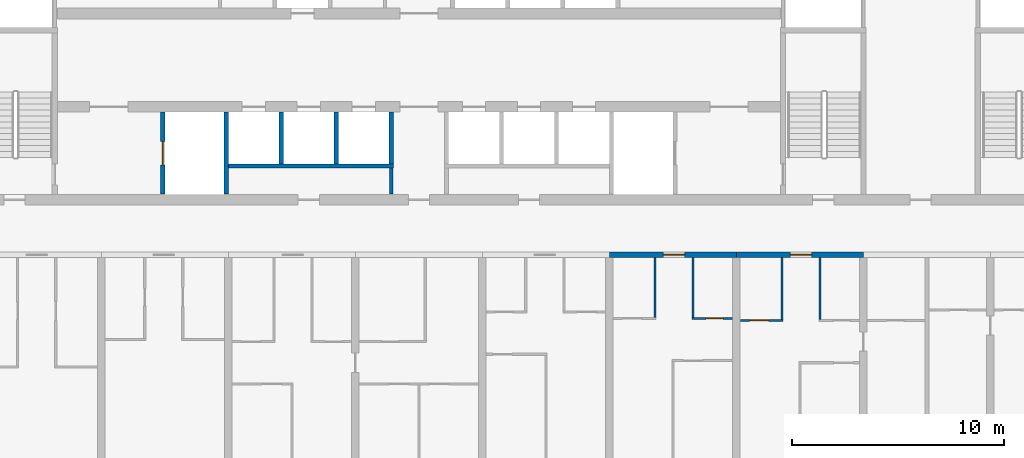
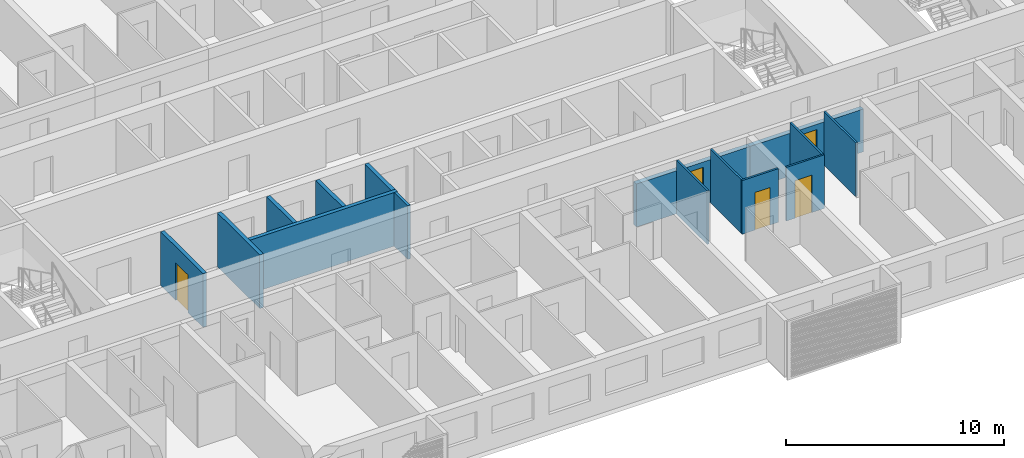
# One storey, part 6 of 24: 15 walls, 5 doors, 5 openings.
"""IFC4 building model written with IfcOpenShell, lengths in metres."""

from ifc_helpers import new_model, si_unit, direction, frame, frame_2d, origin, place, context, subcontext, project, spatial, rectangle, extrude, material, layer, layer_set, type_object, element, fill, save


model = new_model("IFC4")

# Units and contexts
model_context = context("Model", 3, precision=1e-05, world=origin(), true_north=direction((0.0, 1.0)))
body_context = subcontext(model_context, "Body", "Model", "MODEL_VIEW")
ifc_project = project(units=[si_unit("LENGTHUNIT", "METRE"), si_unit("AREAUNIT", "SQUARE_METRE"), si_unit("VOLUMEUNIT", "CUBIC_METRE"), si_unit("PLANEANGLEUNIT", "RADIAN"), si_unit("MASSUNIT", "GRAM", prefix="KILO")], contexts=[model_context])

# Site, building, storey
site_placement = place(None, origin())
site = spatial("IfcSite", under=ifc_project, at=site_placement, CompositionType="ELEMENT")
building_placement = place(site_placement, origin())
building = spatial("IfcBuilding", under=site, at=building_placement, Name="Poui Terraces", CompositionType="ELEMENT")
storey_placement = place(building_placement, frame((0.0, 0.0, 102.60009765625)))
storey = spatial("IfcBuildingStorey", under=building, at=storey_placement, Name="L28", CompositionType="ELEMENT", Elevation=102.60009765625)

# Wall
ifc_material_1 = material(Name="Fire-rated plasterboard wall")
ifc_layer_1 = layer(ifc_material_1, 0.14990234375)
ifc_layer_set_1 = layer_set([ifc_layer_1], Name="Fire-rated plasterboard wall")
wall_type_1 = type_object("IfcWallType", Name="CORRIDOR WALL 150", PredefinedType="PARTITIONING", material=ifc_layer_set_1)
wall_1_placement = place(storey_placement, frame((49.699951171875, 14.860107421875, 0.0), z_axis=(0.0, 0.0, 1.0), x_axis=(0.0, 1.0, 0.0)))
element("IfcWall", 1, at=wall_1_placement, inside=storey, type_object=wall_type_1, Name="CORRIDOR WALL 150", PredefinedType="PARTITIONING", context=body_context, shape_type="SweptSolid", body=[
    extrude(rectangle(XDim=1.239990234375, YDim=0.14990234375, at=frame_2d((0.6201171875, 0.0))), origin(), (0.0, 0.0, 1.0), 3.0),
])

# Wall, opening, door
ifc_material_2 = material(Name="Concrete 65 MPa", Category="concrete")
ifc_layer_2 = layer(ifc_material_2, 0.25)
ifc_layer_set_2 = layer_set([ifc_layer_2], Name="Concrete 65 MPa")
wall_type_2 = type_object("IfcWallType", Name="CORRIDOR WALL 250 65MPa", PredefinedType="SHEAR", material=ifc_layer_set_2)
wall_2_placement = place(storey_placement, frame((60.0, 12.0, 0.0), z_axis=(0.0, 0.0, 1.0), x_axis=(1.0, 0.0, 0.0)))
wall_2 = element("IfcWall", 2, at=wall_2_placement, inside=storey, type_object=wall_type_2, Name="CORRIDOR WALL LINE B BAY 10", PredefinedType="SHEAR", context=body_context, shape_type="SweptSolid", body=[
    extrude(rectangle(XDim=6.0, YDim=0.25, at=frame_2d((3.0, 0.0))), origin(), (0.0, 0.0, 1.0), 2.39990234375),
])
opening_1_placement = place(wall_2_placement, frame((2.550048828125, 0.0, 0.0)))
opening_1 = element("IfcOpeningElement", 3, at=opening_1_placement, cuts=wall_2, Name="Opening FD30S", PredefinedType="OPENING", context=body_context, shape_type="SweptSolid", body=[
    extrude(rectangle(XDim=1.0, YDim=2.10009765625, at=frame_2d((0.5, 1.050048828125))), frame((0.0, 0.135009765625, 0.0), z_axis=(0.0, -1.0, 0.0), x_axis=(1.0, 0.0, 0.0)), (0.0, 0.0, 1.0), 0.27001953125),
])
ifc_material_3 = material(Name="Steel fire door", Category="steel")
door_type_1 = type_object("IfcDoorType", Name="FLAT ENTRANCE DOOR 1000 X 2100", OperationType="NOTDEFINED", PredefinedType="DOOR", material=ifc_material_3)
door_1_placement = place(opening_1_placement, frame((1.0, 0.0, 0.0), z_axis=(0.0, 0.0, 1.0), x_axis=(-1.0, 0.0, 0.0)))
door_1 = element("IfcDoor", 4, at=door_1_placement, inside=storey, type_object=door_type_1, Name="FLAT ENTRANCE DOOR 112", OperationType="SINGLE_SWING_LEFT", OverallHeight=2.10009765625, OverallWidth=1.0, PredefinedType="DOOR", context=body_context, shape_type="SweptSolid", body=[
    extrude(rectangle(XDim=1.0, YDim=2.10009765625, at=frame_2d((0.5, 1.050048828125))), frame((0.0, 0.02490234375, 0.0), z_axis=(0.0, -1.0, 0.0), x_axis=(1.0, 0.0, 0.0)), (0.0, 0.0, 1.0), 0.050048828125),
])
fill(opening_1, door_1)

wall_3_placement = place(storey_placement, frame((66.0, 12.0, 0.0), z_axis=(0.0, 0.0, 1.0), x_axis=(1.0, 0.0, 0.0)))
wall_3 = element("IfcWall", 5, at=wall_3_placement, inside=storey, type_object=wall_type_2, Name="CORRIDOR WALL LINE B BAY 11", PredefinedType="SHEAR", context=body_context, shape_type="SweptSolid", body=[
    extrude(rectangle(XDim=6.0, YDim=0.25, at=frame_2d((3.0, 0.0))), origin(), (0.0, 0.0, 1.0), 2.39990234375),
])
opening_2_placement = place(wall_3_placement, frame((2.550048828125, 0.0, 0.0)))
opening_2 = element("IfcOpeningElement", 6, at=opening_2_placement, cuts=wall_3, Name="Opening FD30S", PredefinedType="OPENING", context=body_context, shape_type="SweptSolid", body=[
    extrude(rectangle(XDim=1.0, YDim=2.10009765625, at=frame_2d((0.5, 1.050048828125))), frame((0.0, 0.135009765625, 0.0), z_axis=(0.0, -1.0, 0.0), x_axis=(1.0, 0.0, 0.0)), (0.0, 0.0, 1.0), 0.27001953125),
])
door_2_placement = place(opening_2_placement, frame((1.0, 0.0, 0.0), z_axis=(0.0, 0.0, 1.0), x_axis=(-1.0, 0.0, 0.0)))
door_2 = element("IfcDoor", 7, at=door_2_placement, inside=storey, type_object=door_type_1, Name="FLAT ENTRANCE DOOR 117", OperationType="SINGLE_SWING_LEFT", OverallHeight=2.10009765625, OverallWidth=1.0, PredefinedType="DOOR", context=body_context, shape_type="SweptSolid", body=[
    extrude(rectangle(XDim=1.0, YDim=2.10009765625, at=frame_2d((0.5, 1.050048828125))), frame((0.0, 0.02490234375, 0.0), z_axis=(0.0, -1.0, 0.0), x_axis=(1.0, 0.0, 0.0)), (0.0, 0.0, 1.0), 0.050048828125),
])
fill(opening_2, door_2)

ifc_material_4 = material(Name="Plasterboard partition")
ifc_layer_3 = layer(ifc_material_4, 0.10009765625)
ifc_layer_set_3 = layer_set([ifc_layer_3], Name="Plasterboard partition")
wall_type_3 = type_object("IfcWallType", Name="FLAT PARTITION 100", PredefinedType="PARTITIONING", material=ifc_layer_set_3)
wall_4_placement = place(storey_placement, frame((66.18505859375, 8.89990234375, 0.0), z_axis=(0.0, 0.0, 1.0), x_axis=(1.0, 0.0, 0.0)))
wall_4 = element("IfcWall", 8, at=wall_4_placement, inside=storey, type_object=wall_type_3, Name="FLAT PARTITION 100", PredefinedType="PARTITIONING", context=body_context, shape_type="SweptSolid", body=[
    extrude(rectangle(XDim=2.014892578125, YDim=0.10009765625, at=frame_2d((1.00732421875, 0.0))), origin(), (0.0, 0.0, 1.0), 3.0),
])
opening_3_placement = place(wall_4_placement, frame((0.43994140625, 0.0, 0.0)))
opening_3 = element("IfcOpeningElement", 9, at=opening_3_placement, cuts=wall_4, Name="Opening D90", PredefinedType="OPENING", context=body_context, shape_type="SweptSolid", body=[
    extrude(rectangle(XDim=0.89990234375, YDim=2.10009765625, at=frame_2d((0.449951171875, 1.050048828125))), frame((0.0, 0.06005859375, 0.0), z_axis=(0.0, -1.0, 0.0), x_axis=(1.0, 0.0, 0.0)), (0.0, 0.0, 1.0), 0.1201171875),
])
ifc_material_5 = material(Name="Solid core timber door", Category="wood")
door_type_2 = type_object("IfcDoorType", Name="INTERNAL DOOR 900 X 2100", OperationType="NOTDEFINED", PredefinedType="DOOR", material=ifc_material_5)
door_3_placement = place(opening_3_placement, origin())
door_3 = element("IfcDoor", 10, at=door_3_placement, inside=storey, type_object=door_type_2, Name="INTERNAL DOOR 116", OperationType="SINGLE_SWING_LEFT", OverallHeight=2.10009765625, OverallWidth=0.89990234375, PredefinedType="DOOR", context=body_context, shape_type="SweptSolid", body=[
    extrude(rectangle(XDim=0.89990234375, YDim=2.10009765625, at=frame_2d((0.449951171875, 1.050048828125))), frame((0.0, 0.02490234375, 0.0), z_axis=(0.0, -1.0, 0.0), x_axis=(1.0, 0.0, 0.0)), (0.0, 0.0, 1.0), 0.050048828125),
])
fill(opening_3, door_3)

wall_5_placement = place(storey_placement, frame((63.89990234375, 9.0, 0.0), z_axis=(0.0, 0.0, 1.0), x_axis=(1.0, 0.0, 0.0)))
wall_5 = element("IfcWall", 11, at=wall_5_placement, inside=storey, type_object=wall_type_3, Name="FLAT PARTITION 100", PredefinedType="PARTITIONING", context=body_context, shape_type="SweptSolid", body=[
    extrude(rectangle(XDim=1.9150390625, YDim=0.10009765625, at=frame_2d((0.95751953125, 0.0))), origin(), (0.0, 0.0, 1.0), 3.0),
])
opening_4_placement = place(wall_5_placement, frame((0.675048828125, 0.0, 0.0)))
opening_4 = element("IfcOpeningElement", 12, at=opening_4_placement, cuts=wall_5, Name="Opening D80", PredefinedType="OPENING", context=body_context, shape_type="SweptSolid", body=[
    extrude(rectangle(XDim=0.800048828125, YDim=2.10009765625, at=frame_2d((0.39990234375, 1.050048828125))), frame((0.0, 0.06005859375, 0.0), z_axis=(0.0, -1.0, 0.0), x_axis=(1.0, 0.0, 0.0)), (0.0, 0.0, 1.0), 0.1201171875),
])
door_type_3 = type_object("IfcDoorType", Name="BATHROOM, LAUNDRY AND STORE DOOR 800 X 2100", OperationType="NOTDEFINED", PredefinedType="DOOR", material=ifc_material_5)
door_4_placement = place(opening_4_placement, origin())
door_4 = element("IfcDoor", 13, at=door_4_placement, inside=storey, type_object=door_type_3, Name="BATHROOM, LAUNDRY AND STORE DOOR 114", OperationType="SINGLE_SWING_LEFT", OverallHeight=2.10009765625, OverallWidth=0.800048828125, PredefinedType="DOOR", context=body_context, shape_type="SweptSolid", body=[
    extrude(rectangle(XDim=0.800048828125, YDim=2.10009765625, at=frame_2d((0.39990234375, 1.050048828125))), frame((0.0, 0.02490234375, 0.0), z_axis=(0.0, -1.0, 0.0), x_axis=(1.0, 0.0, 0.0)), (0.0, 0.0, 1.0), 0.050048828125),
])
fill(opening_4, door_4)

# Walls
for number, where, z_axis, x_axis, name in (
    (14, (62.14990234375, 9.050048828125, 0.0), (0.0, 0.0, 1.0), (0.0, 1.0, 0.0), "FLAT PARTITION 100"),
    (15, (63.949951171875, 9.050048828125, 0.0), (0.0, 0.0, 1.0), (0.0, 1.0, 0.0), "FLAT PARTITION 100"),
):
    element("IfcWall", number, at=place(storey_placement, frame(where, z_axis=z_axis, x_axis=x_axis)), inside=storey, type_object=wall_type_3, Name=name, PredefinedType="PARTITIONING", context=body_context, shape_type="SweptSolid", body=[
        extrude(rectangle(XDim=2.81494140625, YDim=0.10009765625, at=frame_2d((1.407470703125, 0.0))), origin(), (0.0, 0.0, 1.0), 3.0),
    ])
for number, where, z_axis, x_axis, name in (
    (16, (68.14990234375, 8.949951171875, 0.0), (0.0, 0.0, 1.0), (0.0, 1.0, 0.0), "FLAT PARTITION 100"),
    (17, (69.949951171875, 8.949951171875, 0.0), (0.0, 0.0, 1.0), (0.0, 1.0, 0.0), "FLAT PARTITION 100"),
):
    element("IfcWall", number, at=place(storey_placement, frame(where, z_axis=z_axis, x_axis=x_axis)), inside=storey, type_object=wall_type_3, Name=name, PredefinedType="PARTITIONING", context=body_context, shape_type="SweptSolid", body=[
        extrude(rectangle(XDim=2.9150390625, YDim=0.10009765625, at=frame_2d((1.45751953125, 0.0))), origin(), (0.0, 0.0, 1.0), 3.0),
    ])
ifc_material_6 = material(Name="Fire-rated masonry shaft wall", Category="masonry")
ifc_layer_4 = layer(ifc_material_6, 0.199951171875)
ifc_layer_set_4 = layer_set([ifc_layer_4], Name="Fire-rated masonry shaft wall")
wall_type_4 = type_object("IfcWallType", Name="SHAFT WALL 200", PredefinedType="PARTITIONING", material=ifc_layer_set_4)
wall_6_placement = place(storey_placement, frame((42.0, 16.199951171875, 0.0), z_axis=(0.0, 0.0, 1.0), x_axis=(1.0, 0.0, 0.0)))
element("IfcWall", 18, at=wall_6_placement, inside=storey, type_object=wall_type_4, Name="SHAFT WALL 200", PredefinedType="PARTITIONING", context=body_context, shape_type="SweptSolid", body=[
    extrude(rectangle(XDim=7.800048828125, YDim=0.199951171875, at=frame_2d((3.89990234375, 0.0))), origin(), (0.0, 0.0, 1.0), 3.0),
])

# Wall, opening, door
wall_7_placement = place(storey_placement, frame((38.89990234375, 14.860107421875, 0.0), z_axis=(0.0, 0.0, 1.0), x_axis=(0.0, 1.0, 0.0)))
wall_7 = element("IfcWall", 19, at=wall_7_placement, inside=storey, type_object=wall_type_4, Name="SHAFT WALL 200", PredefinedType="PARTITIONING", context=body_context, shape_type="SweptSolid", body=[
    extrude(rectangle(XDim=3.8798828125, YDim=0.199951171875, at=frame_2d((1.93994140625, 0.0))), origin(), (0.0, 0.0, 1.0), 3.0),
])
opening_5_placement = place(wall_7_placement, frame((1.389892578125, 0.0, 0.0)))
opening_5 = element("IfcOpeningElement", 20, at=opening_5_placement, cuts=wall_7, Name="Opening LD", PredefinedType="OPENING", context=body_context, shape_type="SweptSolid", body=[
    extrude(rectangle(XDim=1.10009765625, YDim=2.10009765625, at=frame_2d((0.550048828125, 1.050048828125))), frame((0.0, 0.10986328125, 0.0), z_axis=(0.0, -1.0, 0.0), x_axis=(1.0, 0.0, 0.0)), (0.0, 0.0, 1.0), 0.219970703125),
])
ifc_material_7 = material(Name="Stainless steel sliding door", Category="steel")
door_type_4 = type_object("IfcDoorType", Name="LIFT LANDING DOOR 1100 X 2100", OperationType="DOUBLE_DOOR_SLIDING", PredefinedType="DOOR", material=ifc_material_7)
door_5_placement = place(opening_5_placement, origin())
door_5 = element("IfcDoor", 21, at=door_5_placement, inside=storey, type_object=door_type_4, Name="LANDING DOOR", OperationType="DOUBLE_DOOR_SLIDING", OverallHeight=2.10009765625, OverallWidth=1.10009765625, PredefinedType="DOOR", context=body_context, shape_type="SweptSolid", body=[
    extrude(rectangle(XDim=1.10009765625, YDim=2.10009765625, at=frame_2d((0.550048828125, 1.050048828125))), frame((0.0, 0.02490234375, 0.0), z_axis=(0.0, -1.0, 0.0), x_axis=(1.0, 0.0, 0.0)), (0.0, 0.0, 1.0), 0.050048828125),
])
fill(opening_5, door_5)

# Walls
wall_8_placement = place(storey_placement, frame((41.89990234375, 14.860107421875, 0.0), z_axis=(0.0, 0.0, 1.0), x_axis=(0.0, 1.0, 0.0)))
element("IfcWall", 22, at=wall_8_placement, inside=storey, type_object=wall_type_4, Name="SHAFT WALL 200", PredefinedType="PARTITIONING", context=body_context, shape_type="SweptSolid", body=[
    extrude(rectangle(XDim=3.8798828125, YDim=0.199951171875, at=frame_2d((1.93994140625, 0.0))), origin(), (0.0, 0.0, 1.0), 3.0),
])
for number, where, z_axis, x_axis, name in (
    (23, (44.5, 16.300048828125, 0.0), (0.0, 0.0, 1.0), (0.0, 1.0, 0.0), "SHAFT WALL 200"),
    (24, (47.10009765625, 16.300048828125, 0.0), (0.0, 0.0, 1.0), (0.0, 1.0, 0.0), "SHAFT WALL 200"),
    (25, (49.699951171875, 16.300048828125, 0.0), (0.0, 0.0, 1.0), (0.0, 1.0, 0.0), "SHAFT WALL 200"),
):
    element("IfcWall", number, at=place(storey_placement, frame(where, z_axis=z_axis, x_axis=x_axis)), inside=storey, type_object=wall_type_4, Name=name, PredefinedType="PARTITIONING", context=body_context, shape_type="SweptSolid", body=[
        extrude(rectangle(XDim=2.43994140625, YDim=0.199951171875, at=frame_2d((1.219970703125, 0.0))), origin(), (0.0, 0.0, 1.0), 3.0),
    ])

save(model, "model.ifc")
